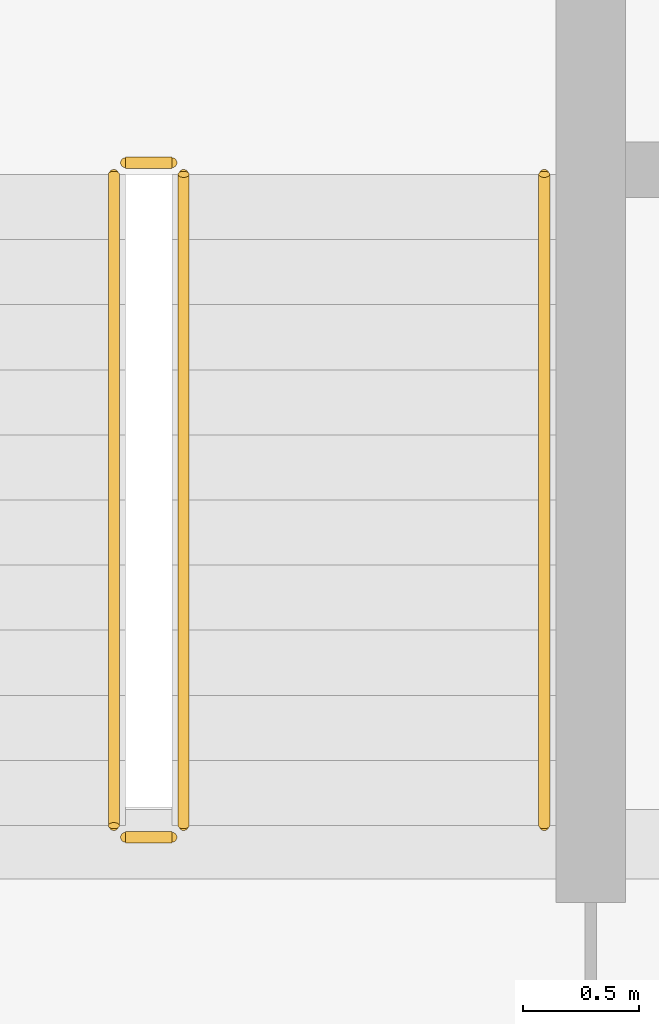
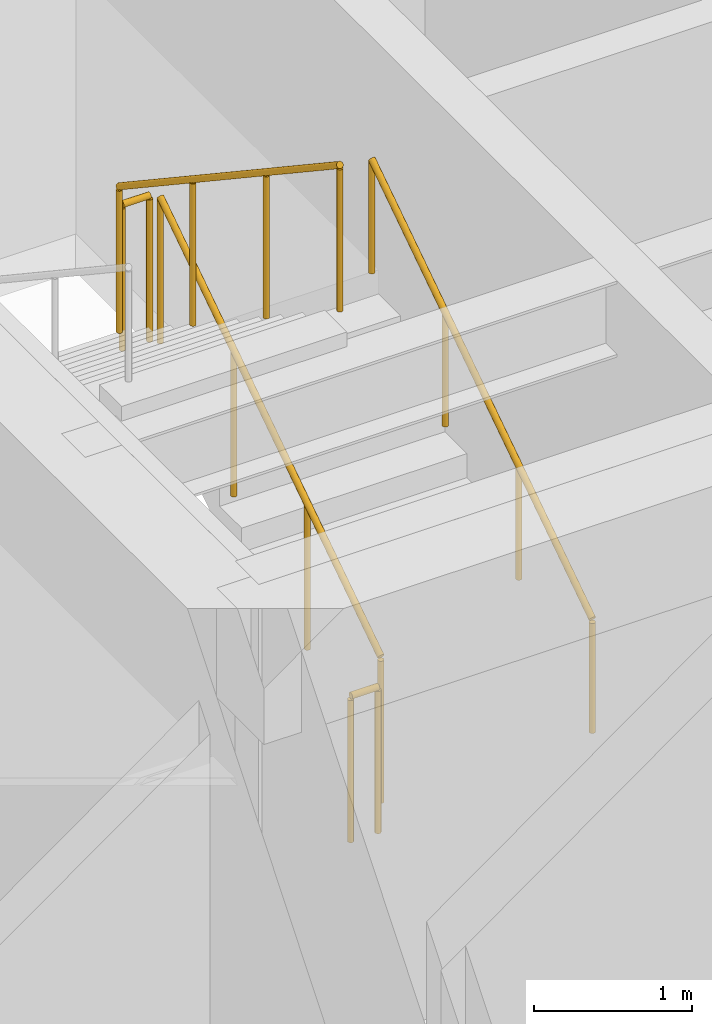
# One storey, part 33 of 36: 5 railings.
"""IFC4 building model written with IfcOpenShell, lengths in metres."""

from ifc_helpers import new_model, si_unit, direction, frame, origin, origin_2d, place, context, subcontext, project, spatial, circle, extrude, source, transform, mapped, material, type_object, type_shapes, element, save


model = new_model("IFC4")

# Units and contexts
model_context = context("Model", 3, precision=1e-05, world=origin(), true_north=direction((0.0, 1.0)))
body_context = subcontext(model_context, "Body", "Model", "MODEL_VIEW")
ifc_project = project(units=[si_unit("LENGTHUNIT", "METRE"), si_unit("AREAUNIT", "SQUARE_METRE"), si_unit("VOLUMEUNIT", "CUBIC_METRE"), si_unit("PLANEANGLEUNIT", "RADIAN"), si_unit("MASSUNIT", "GRAM", prefix="KILO")], contexts=[model_context])

# Site, building, storey
site_placement = place(None, origin())
site = spatial("IfcSite", under=ifc_project, at=site_placement, CompositionType="ELEMENT")
building_placement = place(site_placement, origin())
building = spatial("IfcBuilding", under=site, at=building_placement, Name="Haelvirn Gate Laboratories", CompositionType="ELEMENT")
storey_placement = place(building_placement, frame((0.0, 0.0, 242.39990234375)))
storey = spatial("IfcBuildingStorey", under=building, at=storey_placement, Name="L58", CompositionType="ELEMENT", Elevation=242.39990234375)

# Railings
ifc_material_1 = material(Name="Galvanised steel SM355 & stainless top rail", Category="steel")
railing_type_1 = type_object("IfcRailingType", Name="RL-GUARD-1150", PredefinedType="GUARDRAIL", material=ifc_material_1)
shared_shape_1 = source(origin(), body_context, "Body", "SweptSolid", [
    extrude(circle(Radius=0.02392578125, at=origin_2d()), frame((0.0, 0.0, 1.1259765625), z_axis=(-1.0, 0.0, 0.0), x_axis=(0.0, -1.0, 0.0)), (0.0, 0.0, 1.0), 0.199951171875),
    extrude(circle(Radius=0.02099609375, at=origin_2d()), origin(), (0.0, 0.0, 1.0), 1.101806640625),
    extrude(circle(Radius=0.02099609375, at=origin_2d()), frame((-0.199951171875, 0.0, 0.0)), (0.0, 0.0, 1.0), 1.101806640625),
])
for number, where, name in (
    (1, (9.64990234375, 29.550048828125, 2.050048828125), "L58 ST1 stair guard 2"),
    (2, (9.64990234375, 26.64990234375, 0.0), "L58 ST1 stair guard 4"),
):
    element("IfcRailing", number, at=place(storey_placement, frame(where)), inside=storey, type_object=railing_type_1, Name=name, PredefinedType="GUARDRAIL", context=body_context, shape_type="MappedRepresentation", body=[
        mapped(shared_shape_1, transform((0.0, 0.0, 0.0), scale=1.0)),
    ])
shared_shape_2 = source(origin(), body_context, "Body", "SweptSolid", [
    extrude(circle(Radius=0.02392578125, at=origin_2d()), frame((0.0, 0.0, 1.1259765625), z_axis=(0.0, 0.832485552168, 0.554046753832), x_axis=(-1.0, 0.0, 0.0)), (0.0, 0.0, 1.0), 3.363525390625),
    extrude(circle(Radius=0.02099609375, at=origin_2d()), origin(), (0.0, 0.0, 1.0), 1.101806640625),
    extrude(circle(Radius=0.02099609375, at=origin_2d()), frame((0.0, 0.933349609375, 0.62109375)), (0.0, 0.0, 1.0), 1.101806640625),
    extrude(circle(Radius=0.02099609375, at=origin_2d()), frame((0.0, 1.86669921875, 1.242431640625)), (0.0, 0.0, 1.0), 1.101806640625),
    extrude(circle(Radius=0.02099609375, at=origin_2d()), frame((0.0, 2.800048828125, 1.863525390625)), (0.0, 0.0, 1.0), 1.101806640625),
])
railing_1_placement = place(storey_placement, frame((9.699951171875, 26.699951171875, 0.1865234375)))
element("IfcRailing", 3, at=railing_1_placement, inside=storey, type_object=railing_type_1, Name="L58 ST1 stair guard 1", PredefinedType="GUARDRAIL", context=body_context, shape_type="MappedRepresentation", body=[
    mapped(shared_shape_2, transform((0.0, 0.0, 0.0), scale=1.0)),
])
ifc_material_2 = material(Name="Brushed stainless steel 316L", Category="steel")
railing_type_2 = type_object("IfcRailingType", Name="RL-HAND-920", PredefinedType="HANDRAIL", material=ifc_material_2)
shared_shape_3 = source(origin(), body_context, "Body", "SweptSolid", [
    extrude(circle(Radius=0.02392578125, at=origin_2d()), frame((0.0, 0.0, 0.8759765625), z_axis=(0.0, 0.832485552168, 0.554046753832), x_axis=(-1.0, 0.0, 0.0)), (0.0, 0.0, 1.0), 3.363525390625),
    extrude(circle(Radius=0.02099609375, at=origin_2d()), origin(), (0.0, 0.0, 1.0), 0.851806640625),
    extrude(circle(Radius=0.02099609375, at=origin_2d()), frame((0.0, 0.933349609375, 0.62109375)), (0.0, 0.0, 1.0), 0.851806640625),
    extrude(circle(Radius=0.02099609375, at=origin_2d()), frame((0.0, 1.86669921875, 1.242431640625)), (0.0, 0.0, 1.0), 0.851806640625),
    extrude(circle(Radius=0.02099609375, at=origin_2d()), frame((0.0, 2.800048828125, 1.863525390625)), (0.0, 0.0, 1.0), 0.851806640625),
])
type_shapes(railing_type_2, [shared_shape_3])
railing_2_placement = place(storey_placement, frame((11.25, 26.699951171875, 0.1865234375)))
element("IfcRailing", 4, at=railing_2_placement, inside=storey, type_object=railing_type_2, Name="L58 ST1 stair handrail 1", PredefinedType="HANDRAIL", context=body_context, shape_type="MappedRepresentation", body=[
    mapped(shared_shape_3, transform((0.0, 0.0, 0.0), scale=1.0)),
])
shared_shape_4 = source(origin(), body_context, "Body", "SweptSolid", [
    extrude(circle(Radius=0.02392578125, at=origin_2d()), frame((0.0, 0.0, 1.1259765625), z_axis=(0.0, -0.832485552168, 0.554046753832), x_axis=(1.0, 0.0, 0.0)), (0.0, 0.0, 1.0), 3.363525390625),
    extrude(circle(Radius=0.02099609375, at=origin_2d()), origin(), (0.0, 0.0, 1.0), 1.101806640625),
    extrude(circle(Radius=0.02099609375, at=origin_2d()), frame((0.0, -0.933349609375, 0.62109375)), (0.0, 0.0, 1.0), 1.101806640625),
    extrude(circle(Radius=0.02099609375, at=origin_2d()), frame((0.0, -1.86669921875, 1.242431640625)), (0.0, 0.0, 1.0), 1.101806640625),
    extrude(circle(Radius=0.02099609375, at=origin_2d()), frame((0.0, -2.800048828125, 1.863525390625)), (0.0, 0.0, 1.0), 1.101806640625),
])
type_shapes(railing_type_1, [shared_shape_1, shared_shape_2, shared_shape_4])
railing_3_placement = place(storey_placement, frame((9.39990234375, 29.5, 2.236572265625)))
element("IfcRailing", 5, at=railing_3_placement, inside=storey, type_object=railing_type_1, Name="L58 ST1 stair guard 3", PredefinedType="GUARDRAIL", context=body_context, shape_type="MappedRepresentation", body=[
    mapped(shared_shape_4, transform((0.0, 0.0, 0.0), scale=1.0)),
])

save(model, "model.ifc")
